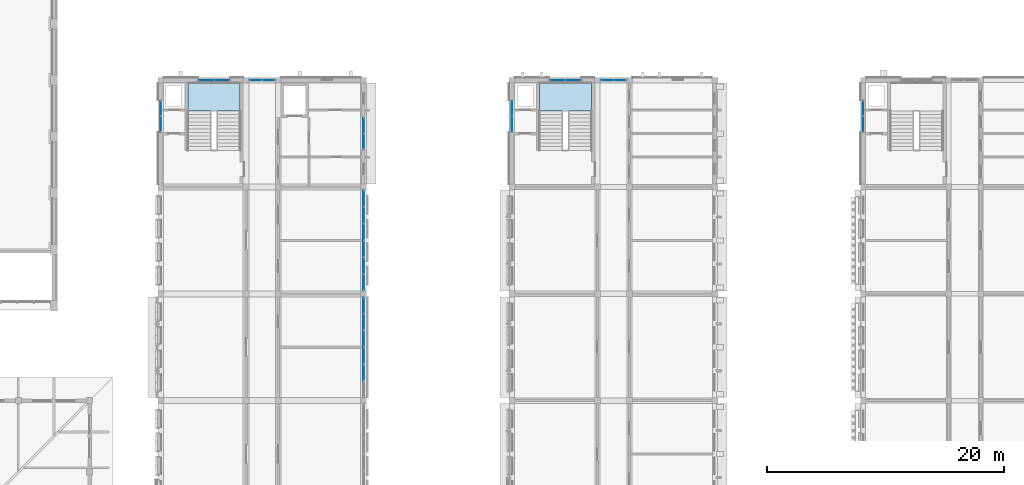
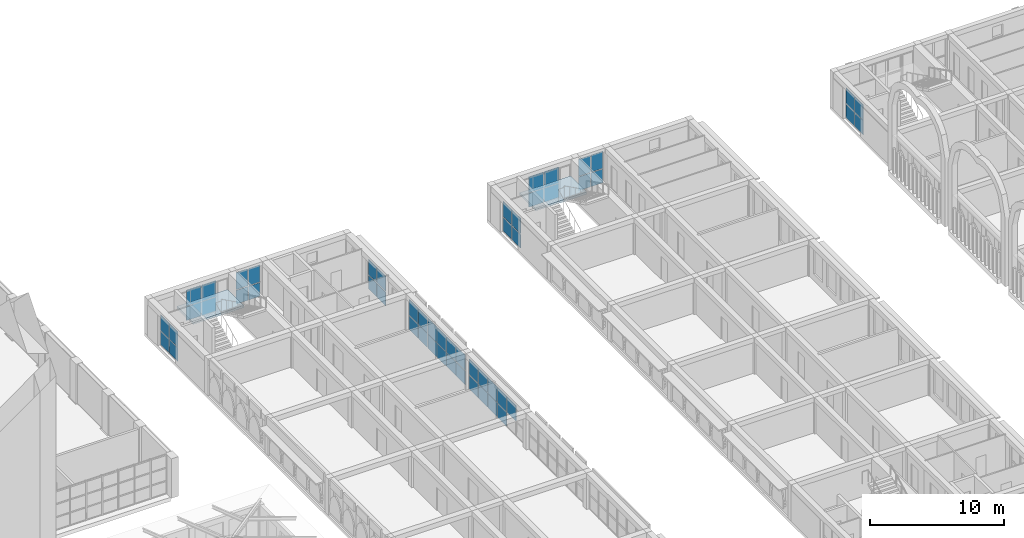
# One storey, part 38 of 82: 53 plates, 2 slabs, 12 elements without a shape of their own.
"""IFC4 building model written with IfcOpenShell, lengths in metres."""

from ifc_helpers import new_model, si_unit, direction, frame, origin, origin_2d, place, context, subcontext, project, spatial, polyline, rectangle, outline, extrude, material, layer, layer_set, type_object, element, aggregate, save


model = new_model("IFC4")

# Units and contexts
model_context = context("Model", 3, precision=1e-05, world=origin(), true_north=direction((0.0, 1.0)))
body_context = subcontext(model_context, "Body", "Model", "MODEL_VIEW")
ifc_project = project(units=[si_unit("LENGTHUNIT", "METRE"), si_unit("AREAUNIT", "SQUARE_METRE"), si_unit("VOLUMEUNIT", "CUBIC_METRE"), si_unit("PLANEANGLEUNIT", "RADIAN"), si_unit("MASSUNIT", "GRAM", prefix="KILO")], contexts=[model_context])

# Site, building, storey
site_placement = place(None, origin())
site = spatial("IfcSite", under=ifc_project, at=site_placement, CompositionType="ELEMENT")
building_placement = place(site_placement, origin())
building = spatial("IfcBuilding", under=site, at=building_placement, Name="Elbe Cascade School", CompositionType="ELEMENT")
storey_placement = place(building_placement, frame((0.0, 0.0, 4.5)))
storey = spatial("IfcBuildingStorey", under=building, at=storey_placement, Name="L01", CompositionType="ELEMENT", Elevation=4.5)

# Stair, slab
ifc_material_1 = material(Name="Concrete C30/37", Category="concrete")
stair_type = type_object("IfcStairType", Name="Bar stair RC 150", PredefinedType="HALF_TURN_STAIR", material=ifc_material_1)
stair_1_placement = place(storey_placement, origin())
stair_1 = element("IfcStair", 1, at=stair_1_placement, inside=storey, type_object=stair_type, Name="Stair A1.N", PredefinedType="HALF_TURN_STAIR")
ifc_material_2 = material(Name="Concrete C30/37", Category="concrete")
ifc_layer_1 = layer(ifc_material_2, 0.199951171875)
ifc_layer_set_1 = layer_set([ifc_layer_1], Name="Concrete C30/37")
slab_type = type_object("IfcSlabType", Name="Bar stair landing RC 200", PredefinedType="LANDING", material=ifc_layer_set_1)
slab_1_placement = place(storey_placement, frame((0.0, 0.0, 1.60009765625)))
slab_1 = element("IfcSlab", 2, at=slab_1_placement, type_object=slab_type, Name="ST3 landing 1", PredefinedType="LANDING", context=body_context, shape_type="SweptSolid", body=[
    extrude(outline(polyline([(71.300048828125, 57.39990234375), (75.699951171875, 57.39990234375), (75.699951171875, 59.820068359375), (71.300048828125, 59.820068359375), (71.300048828125, 57.39990234375)])), origin(), (0.0, 0.0, 1.0), 0.199951171875),
])
aggregate(stair_1, [slab_1])

stair_2_placement = place(storey_placement, origin())
stair_2 = element("IfcStair", 3, at=stair_2_placement, inside=storey, type_object=stair_type, Name="Stair B1.N", PredefinedType="HALF_TURN_STAIR")
slab_2_placement = place(storey_placement, frame((0.0, 0.0, 1.60009765625)))
slab_2 = element("IfcSlab", 4, at=slab_2_placement, type_object=slab_type, Name="ST3 landing 1", PredefinedType="LANDING", context=body_context, shape_type="SweptSolid", body=[
    extrude(outline(polyline([(100.89990234375, 57.39990234375), (105.300048828125, 57.39990234375), (105.300048828125, 59.820068359375), (100.89990234375, 59.820068359375), (100.89990234375, 57.39990234375)])), origin(), (0.0, 0.0, 1.0), 0.199951171875),
])
aggregate(stair_2, [slab_2])

# Curtain wall, plates
ifc_material_3 = material(Name="Aluminium frame with double glazing, bronze anodised", Category="aluminium")
ifc_layer_2 = layer(ifc_material_3, 0.159912109375)
ifc_layer_set_2 = layer_set([ifc_layer_2], Name="Aluminium frame with double glazing, bronze anodised")
curtain_wall_type_1 = type_object("IfcCurtainWallType", Name="Bars envelope Curtain wall, aluminium, bronze anodised, storey-high slot", PredefinedType="NOTDEFINED", material=ifc_layer_set_2)
curtain_wall_1_placement = place(storey_placement, origin())
curtain_wall_1 = element("IfcCurtainWall", 5, at=curtain_wall_1_placement, inside=storey, type_object=curtain_wall_type_1, Name="Curtain wall CW4 A.L01.w6", PredefinedType="NOTDEFINED")
ifc_material_4 = material(Name="Glass - double glazed low-E", Category="glass")
ifc_layer_3 = layer(ifc_material_4, 0.028076171875)
ifc_layer_set_3 = layer_set([ifc_layer_3], Name="Glass - double glazed low-E")
plate_type_1 = type_object("IfcPlateType", Name="Bars envelope Curtain wall glazing panel 28 mm, double glazed, storey-high slot", PredefinedType="CURTAIN_PANEL", material=ifc_layer_set_3)
plate_1_placement = place(storey_placement, frame((69.0, 56.300048828125, 0.06005859375), z_axis=(0.0, 0.0, 1.0), x_axis=(0.0, 1.0, 0.0)))
plate_1 = element("IfcPlate", 6, at=plate_1_placement, type_object=plate_type_1, Name="CW4 panel 1.1", PredefinedType="CURTAIN_PANEL", context=body_context, shape_type="SweptSolid", body=[
    extrude(rectangle(XDim=1.260009765625, YDim=0.028076171875, at=origin_2d()), origin(), (0.0, 0.0, 1.0), 1.260009765625),
])
plate_2_placement = place(storey_placement, frame((69.0, 56.300048828125, 1.3798828125), z_axis=(0.0, 0.0, 1.0), x_axis=(0.0, 1.0, 0.0)))
plate_2 = element("IfcPlate", 7, at=plate_2_placement, type_object=plate_type_1, Name="CW4 panel 1.2", PredefinedType="CURTAIN_PANEL", context=body_context, shape_type="SweptSolid", body=[
    extrude(rectangle(XDim=1.260009765625, YDim=0.028076171875, at=origin_2d()), origin(), (0.0, 0.0, 1.0), 1.409912109375),
])
plate_3_placement = place(storey_placement, frame((69.0, 57.6201171875, 0.06005859375), z_axis=(0.0, 0.0, 1.0), x_axis=(0.0, 1.0, 0.0)))
plate_3 = element("IfcPlate", 8, at=plate_3_placement, type_object=plate_type_1, Name="CW4 panel 2.1", PredefinedType="CURTAIN_PANEL", context=body_context, shape_type="SweptSolid", body=[
    extrude(rectangle(XDim=1.260009765625, YDim=0.028076171875, at=origin_2d()), origin(), (0.0, 0.0, 1.0), 1.260009765625),
])
plate_4_placement = place(storey_placement, frame((69.0, 57.6201171875, 1.3798828125), z_axis=(0.0, 0.0, 1.0), x_axis=(0.0, 1.0, 0.0)))
plate_4 = element("IfcPlate", 9, at=plate_4_placement, type_object=plate_type_1, Name="CW4 panel 2.2", PredefinedType="CURTAIN_PANEL", context=body_context, shape_type="SweptSolid", body=[
    extrude(rectangle(XDim=1.260009765625, YDim=0.028076171875, at=origin_2d()), origin(), (0.0, 0.0, 1.0), 1.409912109375),
])
aggregate(curtain_wall_1, [plate_1, plate_2, plate_3, plate_4])

curtain_wall_2_placement = place(storey_placement, origin())
curtain_wall_2 = element("IfcCurtainWall", 10, at=curtain_wall_2_placement, inside=storey, type_object=curtain_wall_type_1, Name="Curtain wall CW4 A.L01.e6", PredefinedType="NOTDEFINED")
plate_5_placement = place(storey_placement, frame((86.10009765625, 56.159912109375, 0.06005859375), z_axis=(0.0, 0.0, 1.0), x_axis=(0.0, -1.0, 0.0)))
plate_5 = element("IfcPlate", 11, at=plate_5_placement, type_object=plate_type_1, Name="CW4 panel 1.1", PredefinedType="CURTAIN_PANEL", context=body_context, shape_type="SweptSolid", body=[
    extrude(rectangle(XDim=1.260009765625, YDim=0.028076171875, at=origin_2d()), origin(), (0.0, 0.0, 1.0), 1.260009765625),
])
plate_6_placement = place(storey_placement, frame((86.10009765625, 56.159912109375, 1.3798828125), z_axis=(0.0, 0.0, 1.0), x_axis=(0.0, -1.0, 0.0)))
plate_6 = element("IfcPlate", 12, at=plate_6_placement, type_object=plate_type_1, Name="CW4 panel 1.2", PredefinedType="CURTAIN_PANEL", context=body_context, shape_type="SweptSolid", body=[
    extrude(rectangle(XDim=1.260009765625, YDim=0.028076171875, at=origin_2d()), origin(), (0.0, 0.0, 1.0), 1.409912109375),
])
plate_7_placement = place(storey_placement, frame((86.10009765625, 54.840087890625, 0.06005859375), z_axis=(0.0, 0.0, 1.0), x_axis=(0.0, -1.0, 0.0)))
plate_7 = element("IfcPlate", 13, at=plate_7_placement, type_object=plate_type_1, Name="CW4 panel 2.1", PredefinedType="CURTAIN_PANEL", context=body_context, shape_type="SweptSolid", body=[
    extrude(rectangle(XDim=1.260009765625, YDim=0.028076171875, at=origin_2d()), origin(), (0.0, 0.0, 1.0), 1.260009765625),
])
plate_8_placement = place(storey_placement, frame((86.10009765625, 54.840087890625, 1.3798828125), z_axis=(0.0, 0.0, 1.0), x_axis=(0.0, -1.0, 0.0)))
plate_8 = element("IfcPlate", 14, at=plate_8_placement, type_object=plate_type_1, Name="CW4 panel 2.2", PredefinedType="CURTAIN_PANEL", context=body_context, shape_type="SweptSolid", body=[
    extrude(rectangle(XDim=1.260009765625, YDim=0.028076171875, at=origin_2d()), origin(), (0.0, 0.0, 1.0), 1.409912109375),
])
aggregate(curtain_wall_2, [plate_5, plate_6, plate_7, plate_8])

curtain_wall_3_placement = place(storey_placement, origin())
curtain_wall_3 = element("IfcCurtainWall", 15, at=curtain_wall_3_placement, inside=storey, type_object=curtain_wall_type_1, Name="Curtain wall CW4 A.L01.n1", PredefinedType="NOTDEFINED")
plate_9_placement = place(storey_placement, frame((72.840087890625, 60.0, 0.06005859375), z_axis=(0.0, 0.0, 1.0), x_axis=(1.0, 0.0, 0.0)))
plate_9 = element("IfcPlate", 16, at=plate_9_placement, type_object=plate_type_1, Name="CW4 panel 1.1", PredefinedType="CURTAIN_PANEL", context=body_context, shape_type="SweptSolid", body=[
    extrude(rectangle(XDim=1.260009765625, YDim=0.028076171875, at=origin_2d()), origin(), (0.0, 0.0, 1.0), 1.260009765625),
])
plate_10_placement = place(storey_placement, frame((72.840087890625, 60.0, 1.380126953125), z_axis=(0.0, 0.0, 1.0), x_axis=(1.0, 0.0, 0.0)))
plate_10 = element("IfcPlate", 17, at=plate_10_placement, type_object=plate_type_1, Name="CW4 panel 1.2", PredefinedType="CURTAIN_PANEL", context=body_context, shape_type="SweptSolid", body=[
    extrude(rectangle(XDim=1.260009765625, YDim=0.028076171875, at=origin_2d()), origin(), (0.0, 0.0, 1.0), 1.4599609375),
])
plate_11_placement = place(storey_placement, frame((74.159912109375, 60.0, 0.06005859375), z_axis=(0.0, 0.0, 1.0), x_axis=(1.0, 0.0, 0.0)))
plate_11 = element("IfcPlate", 18, at=plate_11_placement, type_object=plate_type_1, Name="CW4 panel 2.1", PredefinedType="CURTAIN_PANEL", context=body_context, shape_type="SweptSolid", body=[
    extrude(rectangle(XDim=1.260009765625, YDim=0.028076171875, at=origin_2d()), origin(), (0.0, 0.0, 1.0), 1.260009765625),
])
plate_12_placement = place(storey_placement, frame((74.159912109375, 60.0, 1.380126953125), z_axis=(0.0, 0.0, 1.0), x_axis=(1.0, 0.0, 0.0)))
plate_12 = element("IfcPlate", 19, at=plate_12_placement, type_object=plate_type_1, Name="CW4 panel 2.2", PredefinedType="CURTAIN_PANEL", context=body_context, shape_type="SweptSolid", body=[
    extrude(rectangle(XDim=1.260009765625, YDim=0.028076171875, at=origin_2d()), origin(), (0.0, 0.0, 1.0), 1.4599609375),
])
aggregate(curtain_wall_3, [plate_9, plate_10, plate_11, plate_12])

curtain_wall_4_placement = place(storey_placement, origin())
curtain_wall_4 = element("IfcCurtainWall", 20, at=curtain_wall_4_placement, inside=storey, type_object=curtain_wall_type_1, Name="Curtain wall CW4 A.L01.n2", PredefinedType="NOTDEFINED")
plate_13_placement = place(storey_placement, frame((77.014892578125, 60.0, 0.06005859375), z_axis=(0.0, 0.0, 1.0), x_axis=(1.0, 0.0, 0.0)))
plate_13 = element("IfcPlate", 21, at=plate_13_placement, type_object=plate_type_1, Name="CW4 panel 1.1", PredefinedType="CURTAIN_PANEL", context=body_context, shape_type="SweptSolid", body=[
    extrude(rectangle(XDim=1.010009765625, YDim=0.028076171875, at=origin_2d()), origin(), (0.0, 0.0, 1.0), 1.260009765625),
])
plate_14_placement = place(storey_placement, frame((77.014892578125, 60.0, 1.3798828125), z_axis=(0.0, 0.0, 1.0), x_axis=(1.0, 0.0, 0.0)))
plate_14 = element("IfcPlate", 22, at=plate_14_placement, type_object=plate_type_1, Name="CW4 panel 1.2", PredefinedType="CURTAIN_PANEL", context=body_context, shape_type="SweptSolid", body=[
    extrude(rectangle(XDim=1.010009765625, YDim=0.028076171875, at=origin_2d()), origin(), (0.0, 0.0, 1.0), 1.56005859375),
])
plate_15_placement = place(storey_placement, frame((78.0849609375, 60.0, 0.06005859375), z_axis=(0.0, 0.0, 1.0), x_axis=(1.0, 0.0, 0.0)))
plate_15 = element("IfcPlate", 23, at=plate_15_placement, type_object=plate_type_1, Name="CW4 panel 2.1", PredefinedType="CURTAIN_PANEL", context=body_context, shape_type="SweptSolid", body=[
    extrude(rectangle(XDim=1.010009765625, YDim=0.028076171875, at=origin_2d()), origin(), (0.0, 0.0, 1.0), 1.260009765625),
])
plate_16_placement = place(storey_placement, frame((78.0849609375, 60.0, 1.3798828125), z_axis=(0.0, 0.0, 1.0), x_axis=(1.0, 0.0, 0.0)))
plate_16 = element("IfcPlate", 24, at=plate_16_placement, type_object=plate_type_1, Name="CW4 panel 2.2", PredefinedType="CURTAIN_PANEL", context=body_context, shape_type="SweptSolid", body=[
    extrude(rectangle(XDim=1.010009765625, YDim=0.028076171875, at=origin_2d()), origin(), (0.0, 0.0, 1.0), 1.56005859375),
])
aggregate(curtain_wall_4, [plate_13, plate_14, plate_15, plate_16])

curtain_wall_5_placement = place(storey_placement, origin())
curtain_wall_5 = element("IfcCurtainWall", 25, at=curtain_wall_5_placement, inside=storey, type_object=curtain_wall_type_1, Name="Curtain wall CW4 B.L01.w6", PredefinedType="NOTDEFINED")
plate_17_placement = place(storey_placement, frame((98.60009765625, 56.300048828125, 0.06005859375), z_axis=(0.0, 0.0, 1.0), x_axis=(0.0, 1.0, 0.0)))
plate_17 = element("IfcPlate", 26, at=plate_17_placement, type_object=plate_type_1, Name="CW4 panel 1.1", PredefinedType="CURTAIN_PANEL", context=body_context, shape_type="SweptSolid", body=[
    extrude(rectangle(XDim=1.260009765625, YDim=0.028076171875, at=origin_2d()), origin(), (0.0, 0.0, 1.0), 1.260009765625),
])
plate_18_placement = place(storey_placement, frame((98.60009765625, 56.300048828125, 1.3798828125), z_axis=(0.0, 0.0, 1.0), x_axis=(0.0, 1.0, 0.0)))
plate_18 = element("IfcPlate", 27, at=plate_18_placement, type_object=plate_type_1, Name="CW4 panel 1.2", PredefinedType="CURTAIN_PANEL", context=body_context, shape_type="SweptSolid", body=[
    extrude(rectangle(XDim=1.260009765625, YDim=0.028076171875, at=origin_2d()), origin(), (0.0, 0.0, 1.0), 1.409912109375),
])
plate_19_placement = place(storey_placement, frame((98.60009765625, 57.6201171875, 0.06005859375), z_axis=(0.0, 0.0, 1.0), x_axis=(0.0, 1.0, 0.0)))
plate_19 = element("IfcPlate", 28, at=plate_19_placement, type_object=plate_type_1, Name="CW4 panel 2.1", PredefinedType="CURTAIN_PANEL", context=body_context, shape_type="SweptSolid", body=[
    extrude(rectangle(XDim=1.260009765625, YDim=0.028076171875, at=origin_2d()), origin(), (0.0, 0.0, 1.0), 1.260009765625),
])
plate_20_placement = place(storey_placement, frame((98.60009765625, 57.6201171875, 1.3798828125), z_axis=(0.0, 0.0, 1.0), x_axis=(0.0, 1.0, 0.0)))
plate_20 = element("IfcPlate", 29, at=plate_20_placement, type_object=plate_type_1, Name="CW4 panel 2.2", PredefinedType="CURTAIN_PANEL", context=body_context, shape_type="SweptSolid", body=[
    extrude(rectangle(XDim=1.260009765625, YDim=0.028076171875, at=origin_2d()), origin(), (0.0, 0.0, 1.0), 1.409912109375),
])
aggregate(curtain_wall_5, [plate_17, plate_18, plate_19, plate_20])

curtain_wall_6_placement = place(storey_placement, origin())
curtain_wall_6 = element("IfcCurtainWall", 30, at=curtain_wall_6_placement, inside=storey, type_object=curtain_wall_type_1, Name="Curtain wall CW4 B.L01.n1", PredefinedType="NOTDEFINED")
plate_21_placement = place(storey_placement, frame((102.43994140625, 60.0, 0.06005859375), z_axis=(0.0, 0.0, 1.0), x_axis=(1.0, 0.0, 0.0)))
plate_21 = element("IfcPlate", 31, at=plate_21_placement, type_object=plate_type_1, Name="CW4 panel 1.1", PredefinedType="CURTAIN_PANEL", context=body_context, shape_type="SweptSolid", body=[
    extrude(rectangle(XDim=1.260009765625, YDim=0.028076171875, at=origin_2d()), origin(), (0.0, 0.0, 1.0), 1.260009765625),
])
plate_22_placement = place(storey_placement, frame((102.43994140625, 60.0, 1.380126953125), z_axis=(0.0, 0.0, 1.0), x_axis=(1.0, 0.0, 0.0)))
plate_22 = element("IfcPlate", 32, at=plate_22_placement, type_object=plate_type_1, Name="CW4 panel 1.2", PredefinedType="CURTAIN_PANEL", context=body_context, shape_type="SweptSolid", body=[
    extrude(rectangle(XDim=1.260009765625, YDim=0.028076171875, at=origin_2d()), origin(), (0.0, 0.0, 1.0), 1.4599609375),
])
plate_23_placement = place(storey_placement, frame((103.760009765625, 60.0, 0.06005859375), z_axis=(0.0, 0.0, 1.0), x_axis=(1.0, 0.0, 0.0)))
plate_23 = element("IfcPlate", 33, at=plate_23_placement, type_object=plate_type_1, Name="CW4 panel 2.1", PredefinedType="CURTAIN_PANEL", context=body_context, shape_type="SweptSolid", body=[
    extrude(rectangle(XDim=1.260009765625, YDim=0.028076171875, at=origin_2d()), origin(), (0.0, 0.0, 1.0), 1.260009765625),
])
plate_24_placement = place(storey_placement, frame((103.760009765625, 60.0, 1.380126953125), z_axis=(0.0, 0.0, 1.0), x_axis=(1.0, 0.0, 0.0)))
plate_24 = element("IfcPlate", 34, at=plate_24_placement, type_object=plate_type_1, Name="CW4 panel 2.2", PredefinedType="CURTAIN_PANEL", context=body_context, shape_type="SweptSolid", body=[
    extrude(rectangle(XDim=1.260009765625, YDim=0.028076171875, at=origin_2d()), origin(), (0.0, 0.0, 1.0), 1.4599609375),
])
aggregate(curtain_wall_6, [plate_21, plate_22, plate_23, plate_24])

curtain_wall_7_placement = place(storey_placement, origin())
curtain_wall_7 = element("IfcCurtainWall", 35, at=curtain_wall_7_placement, inside=storey, type_object=curtain_wall_type_1, Name="Curtain wall CW4 B.L01.n2", PredefinedType="NOTDEFINED")
plate_25_placement = place(storey_placement, frame((106.614990234375, 60.0, 0.06005859375), z_axis=(0.0, 0.0, 1.0), x_axis=(1.0, 0.0, 0.0)))
plate_25 = element("IfcPlate", 36, at=plate_25_placement, type_object=plate_type_1, Name="CW4 panel 1.1", PredefinedType="CURTAIN_PANEL", context=body_context, shape_type="SweptSolid", body=[
    extrude(rectangle(XDim=1.010009765625, YDim=0.028076171875, at=origin_2d()), origin(), (0.0, 0.0, 1.0), 1.260009765625),
])
plate_26_placement = place(storey_placement, frame((106.614990234375, 60.0, 1.3798828125), z_axis=(0.0, 0.0, 1.0), x_axis=(1.0, 0.0, 0.0)))
plate_26 = element("IfcPlate", 37, at=plate_26_placement, type_object=plate_type_1, Name="CW4 panel 1.2", PredefinedType="CURTAIN_PANEL", context=body_context, shape_type="SweptSolid", body=[
    extrude(rectangle(XDim=1.010009765625, YDim=0.028076171875, at=origin_2d()), origin(), (0.0, 0.0, 1.0), 1.56005859375),
])
plate_27_placement = place(storey_placement, frame((107.68505859375, 60.0, 0.06005859375), z_axis=(0.0, 0.0, 1.0), x_axis=(1.0, 0.0, 0.0)))
plate_27 = element("IfcPlate", 38, at=plate_27_placement, type_object=plate_type_1, Name="CW4 panel 2.1", PredefinedType="CURTAIN_PANEL", context=body_context, shape_type="SweptSolid", body=[
    extrude(rectangle(XDim=1.010009765625, YDim=0.028076171875, at=origin_2d()), origin(), (0.0, 0.0, 1.0), 1.260009765625),
])
plate_28_placement = place(storey_placement, frame((107.68505859375, 60.0, 1.3798828125), z_axis=(0.0, 0.0, 1.0), x_axis=(1.0, 0.0, 0.0)))
plate_28 = element("IfcPlate", 39, at=plate_28_placement, type_object=plate_type_1, Name="CW4 panel 2.2", PredefinedType="CURTAIN_PANEL", context=body_context, shape_type="SweptSolid", body=[
    extrude(rectangle(XDim=1.010009765625, YDim=0.028076171875, at=origin_2d()), origin(), (0.0, 0.0, 1.0), 1.56005859375),
])
aggregate(curtain_wall_7, [plate_25, plate_26, plate_27, plate_28])

curtain_wall_8_placement = place(storey_placement, origin())
curtain_wall_8 = element("IfcCurtainWall", 40, at=curtain_wall_8_placement, inside=storey, type_object=curtain_wall_type_1, Name="Curtain wall CW4 C.L01.w6", PredefinedType="NOTDEFINED")
plate_29_placement = place(storey_placement, frame((128.199951171875, 56.300048828125, 0.06005859375), z_axis=(0.0, 0.0, 1.0), x_axis=(0.0, 1.0, 0.0)))
plate_29 = element("IfcPlate", 41, at=plate_29_placement, type_object=plate_type_1, Name="CW4 panel 1.1", PredefinedType="CURTAIN_PANEL", context=body_context, shape_type="SweptSolid", body=[
    extrude(rectangle(XDim=1.260009765625, YDim=0.028076171875, at=origin_2d()), origin(), (0.0, 0.0, 1.0), 1.260009765625),
])
plate_30_placement = place(storey_placement, frame((128.199951171875, 56.300048828125, 1.3798828125), z_axis=(0.0, 0.0, 1.0), x_axis=(0.0, 1.0, 0.0)))
plate_30 = element("IfcPlate", 42, at=plate_30_placement, type_object=plate_type_1, Name="CW4 panel 1.2", PredefinedType="CURTAIN_PANEL", context=body_context, shape_type="SweptSolid", body=[
    extrude(rectangle(XDim=1.260009765625, YDim=0.028076171875, at=origin_2d()), origin(), (0.0, 0.0, 1.0), 1.409912109375),
])
plate_31_placement = place(storey_placement, frame((128.199951171875, 57.6201171875, 0.06005859375), z_axis=(0.0, 0.0, 1.0), x_axis=(0.0, 1.0, 0.0)))
plate_31 = element("IfcPlate", 43, at=plate_31_placement, type_object=plate_type_1, Name="CW4 panel 2.1", PredefinedType="CURTAIN_PANEL", context=body_context, shape_type="SweptSolid", body=[
    extrude(rectangle(XDim=1.260009765625, YDim=0.028076171875, at=origin_2d()), origin(), (0.0, 0.0, 1.0), 1.260009765625),
])
plate_32_placement = place(storey_placement, frame((128.199951171875, 57.6201171875, 1.3798828125), z_axis=(0.0, 0.0, 1.0), x_axis=(0.0, 1.0, 0.0)))
plate_32 = element("IfcPlate", 44, at=plate_32_placement, type_object=plate_type_1, Name="CW4 panel 2.2", PredefinedType="CURTAIN_PANEL", context=body_context, shape_type="SweptSolid", body=[
    extrude(rectangle(XDim=1.260009765625, YDim=0.028076171875, at=origin_2d()), origin(), (0.0, 0.0, 1.0), 1.409912109375),
])
aggregate(curtain_wall_8, [plate_29, plate_30, plate_31, plate_32])

ifc_material_5 = material(Name="Aluminium frame with double glazing, bronze anodised", Category="aluminium")
ifc_layer_4 = layer(ifc_material_5, 0.179931640625)
ifc_layer_set_4 = layer_set([ifc_layer_4], Name="Aluminium frame with double glazing, bronze anodised")
curtain_wall_type_2 = type_object("IfcCurtainWallType", Name="Bars envelope Curtain wall, aluminium, bronze anodised, wide run", PredefinedType="NOTDEFINED", material=ifc_layer_set_4)
curtain_wall_9_placement = place(storey_placement, origin())
curtain_wall_9 = element("IfcCurtainWall", 45, at=curtain_wall_9_placement, inside=storey, type_object=curtain_wall_type_2, Name="Curtain wall CW5 A.L01.e4", PredefinedType="NOTDEFINED")
ifc_material_6 = material(Name="Glass - double glazed low-E", Category="glass")
ifc_layer_5 = layer(ifc_material_6, 0.031982421875)
ifc_layer_set_5 = layer_set([ifc_layer_5], Name="Glass - double glazed low-E")
plate_type_2 = type_object("IfcPlateType", Name="Bars envelope Curtain wall glazing panel 32 mm, double glazed, wide run", PredefinedType="CURTAIN_PANEL", material=ifc_layer_set_5)
plate_33_placement = place(storey_placement, frame((86.10009765625, 41.026611328125, 0.06005859375), z_axis=(0.0, 0.0, 1.0), x_axis=(0.0, -1.0, 0.0)))
plate_33 = element("IfcPlate", 46, at=plate_33_placement, type_object=plate_type_2, Name="CW5 panel 1.1", PredefinedType="CURTAIN_PANEL", context=body_context, shape_type="SweptSolid", body=[
    extrude(rectangle(XDim=1.32666015625, YDim=0.031982421875, at=origin_2d()), origin(), (0.0, 0.0, 1.0), 1.260009765625),
])
plate_34_placement = place(storey_placement, frame((86.10009765625, 41.026611328125, 1.3798828125), z_axis=(0.0, 0.0, 1.0), x_axis=(0.0, -1.0, 0.0)))
plate_34 = element("IfcPlate", 47, at=plate_34_placement, type_object=plate_type_2, Name="CW5 panel 1.2", PredefinedType="CURTAIN_PANEL", context=body_context, shape_type="SweptSolid", body=[
    extrude(rectangle(XDim=1.32666015625, YDim=0.031982421875, at=origin_2d()), origin(), (0.0, 0.0, 1.0), 1.409912109375),
])
plate_35_placement = place(storey_placement, frame((86.10009765625, 39.625, 0.06005859375), z_axis=(0.0, 0.0, 1.0), x_axis=(0.0, -1.0, 0.0)))
plate_35 = element("IfcPlate", 48, at=plate_35_placement, type_object=plate_type_2, Name="CW5 panel 2.1", PredefinedType="CURTAIN_PANEL", context=body_context, shape_type="SweptSolid", body=[
    extrude(rectangle(XDim=1.356689453125, YDim=0.031982421875, at=origin_2d()), origin(), (0.0, 0.0, 1.0), 1.260009765625),
])
plate_36_placement = place(storey_placement, frame((86.10009765625, 39.625, 1.3798828125), z_axis=(0.0, 0.0, 1.0), x_axis=(0.0, -1.0, 0.0)))
plate_36 = element("IfcPlate", 49, at=plate_36_placement, type_object=plate_type_2, Name="CW5 panel 2.2", PredefinedType="CURTAIN_PANEL", context=body_context, shape_type="SweptSolid", body=[
    extrude(rectangle(XDim=1.356689453125, YDim=0.031982421875, at=origin_2d()), origin(), (0.0, 0.0, 1.0), 1.409912109375),
])
plate_37_placement = place(storey_placement, frame((86.10009765625, 38.208251953125, 0.06005859375), z_axis=(0.0, 0.0, 1.0), x_axis=(0.0, -1.0, 0.0)))
plate_37 = element("IfcPlate", 50, at=plate_37_placement, type_object=plate_type_2, Name="CW5 panel 3.1", PredefinedType="CURTAIN_PANEL", context=body_context, shape_type="SweptSolid", body=[
    extrude(rectangle(XDim=1.356689453125, YDim=0.031982421875, at=origin_2d()), origin(), (0.0, 0.0, 1.0), 1.260009765625),
])
plate_38_placement = place(storey_placement, frame((86.10009765625, 38.208251953125, 1.3798828125), z_axis=(0.0, 0.0, 1.0), x_axis=(0.0, -1.0, 0.0)))
plate_38 = element("IfcPlate", 51, at=plate_38_placement, type_object=plate_type_2, Name="CW5 panel 3.2", PredefinedType="CURTAIN_PANEL", context=body_context, shape_type="SweptSolid", body=[
    extrude(rectangle(XDim=1.356689453125, YDim=0.031982421875, at=origin_2d()), origin(), (0.0, 0.0, 1.0), 1.409912109375),
])
plate_39_placement = place(storey_placement, frame((86.10009765625, 36.791748046875, 0.06005859375), z_axis=(0.0, 0.0, 1.0), x_axis=(0.0, -1.0, 0.0)))
plate_39 = element("IfcPlate", 52, at=plate_39_placement, type_object=plate_type_2, Name="CW5 panel 4.1", PredefinedType="CURTAIN_PANEL", context=body_context, shape_type="SweptSolid", body=[
    extrude(rectangle(XDim=1.356689453125, YDim=0.031982421875, at=origin_2d()), origin(), (0.0, 0.0, 1.0), 1.260009765625),
])
plate_40_placement = place(storey_placement, frame((86.10009765625, 36.791748046875, 1.3798828125), z_axis=(0.0, 0.0, 1.0), x_axis=(0.0, -1.0, 0.0)))
plate_40 = element("IfcPlate", 53, at=plate_40_placement, type_object=plate_type_2, Name="CW5 panel 4.2", PredefinedType="CURTAIN_PANEL", context=body_context, shape_type="SweptSolid", body=[
    extrude(rectangle(XDim=1.356689453125, YDim=0.031982421875, at=origin_2d()), origin(), (0.0, 0.0, 1.0), 1.409912109375),
])
plate_41_placement = place(storey_placement, frame((86.10009765625, 35.375, 1.3798828125), z_axis=(0.0, 0.0, 1.0), x_axis=(0.0, -1.0, 0.0)))
plate_41 = element("IfcPlate", 54, at=plate_41_placement, type_object=plate_type_2, Name="CW5 panel 5.2", PredefinedType="CURTAIN_PANEL", context=body_context, shape_type="SweptSolid", body=[
    extrude(rectangle(XDim=1.356689453125, YDim=0.031982421875, at=origin_2d()), origin(), (0.0, 0.0, 1.0), 1.409912109375),
])
aggregate(curtain_wall_9, [plate_33, plate_34, plate_35, plate_36, plate_37, plate_38, plate_39, plate_40, plate_41])

curtain_wall_10_placement = place(storey_placement, origin())
curtain_wall_10 = element("IfcCurtainWall", 55, at=curtain_wall_10_placement, inside=storey, type_object=curtain_wall_type_2, Name="Curtain wall CW5 A.L01.e5", PredefinedType="NOTDEFINED")
plate_42_placement = place(storey_placement, frame((86.10009765625, 50.026611328125, 0.06005859375), z_axis=(0.0, 0.0, 1.0), x_axis=(0.0, -1.0, 0.0)))
plate_42 = element("IfcPlate", 56, at=plate_42_placement, type_object=plate_type_2, Name="CW5 panel 1.1", PredefinedType="CURTAIN_PANEL", context=body_context, shape_type="SweptSolid", body=[
    extrude(rectangle(XDim=1.32666015625, YDim=0.031982421875, at=origin_2d()), origin(), (0.0, 0.0, 1.0), 1.260009765625),
])
plate_43_placement = place(storey_placement, frame((86.10009765625, 50.026611328125, 1.3798828125), z_axis=(0.0, 0.0, 1.0), x_axis=(0.0, -1.0, 0.0)))
plate_43 = element("IfcPlate", 57, at=plate_43_placement, type_object=plate_type_2, Name="CW5 panel 1.2", PredefinedType="CURTAIN_PANEL", context=body_context, shape_type="SweptSolid", body=[
    extrude(rectangle(XDim=1.32666015625, YDim=0.031982421875, at=origin_2d()), origin(), (0.0, 0.0, 1.0), 1.409912109375),
])
plate_44_placement = place(storey_placement, frame((86.10009765625, 48.625, 0.06005859375), z_axis=(0.0, 0.0, 1.0), x_axis=(0.0, -1.0, 0.0)))
plate_44 = element("IfcPlate", 58, at=plate_44_placement, type_object=plate_type_2, Name="CW5 panel 2.1", PredefinedType="CURTAIN_PANEL", context=body_context, shape_type="SweptSolid", body=[
    extrude(rectangle(XDim=1.356689453125, YDim=0.031982421875, at=origin_2d()), origin(), (0.0, 0.0, 1.0), 1.260009765625),
])
plate_45_placement = place(storey_placement, frame((86.10009765625, 48.625, 1.3798828125), z_axis=(0.0, 0.0, 1.0), x_axis=(0.0, -1.0, 0.0)))
plate_45 = element("IfcPlate", 59, at=plate_45_placement, type_object=plate_type_2, Name="CW5 panel 2.2", PredefinedType="CURTAIN_PANEL", context=body_context, shape_type="SweptSolid", body=[
    extrude(rectangle(XDim=1.356689453125, YDim=0.031982421875, at=origin_2d()), origin(), (0.0, 0.0, 1.0), 1.409912109375),
])
plate_46_placement = place(storey_placement, frame((86.10009765625, 47.208251953125, 0.06005859375), z_axis=(0.0, 0.0, 1.0), x_axis=(0.0, -1.0, 0.0)))
plate_46 = element("IfcPlate", 60, at=plate_46_placement, type_object=plate_type_2, Name="CW5 panel 3.1", PredefinedType="CURTAIN_PANEL", context=body_context, shape_type="SweptSolid", body=[
    extrude(rectangle(XDim=1.356689453125, YDim=0.031982421875, at=origin_2d()), origin(), (0.0, 0.0, 1.0), 1.260009765625),
])
plate_47_placement = place(storey_placement, frame((86.10009765625, 47.208251953125, 1.3798828125), z_axis=(0.0, 0.0, 1.0), x_axis=(0.0, -1.0, 0.0)))
plate_47 = element("IfcPlate", 61, at=plate_47_placement, type_object=plate_type_2, Name="CW5 panel 3.2", PredefinedType="CURTAIN_PANEL", context=body_context, shape_type="SweptSolid", body=[
    extrude(rectangle(XDim=1.356689453125, YDim=0.031982421875, at=origin_2d()), origin(), (0.0, 0.0, 1.0), 1.409912109375),
])
plate_48_placement = place(storey_placement, frame((86.10009765625, 45.791748046875, 0.06005859375), z_axis=(0.0, 0.0, 1.0), x_axis=(0.0, -1.0, 0.0)))
plate_48 = element("IfcPlate", 62, at=plate_48_placement, type_object=plate_type_2, Name="CW5 panel 4.1", PredefinedType="CURTAIN_PANEL", context=body_context, shape_type="SweptSolid", body=[
    extrude(rectangle(XDim=1.356689453125, YDim=0.031982421875, at=origin_2d()), origin(), (0.0, 0.0, 1.0), 1.260009765625),
])
plate_49_placement = place(storey_placement, frame((86.10009765625, 45.791748046875, 1.3798828125), z_axis=(0.0, 0.0, 1.0), x_axis=(0.0, -1.0, 0.0)))
plate_49 = element("IfcPlate", 63, at=plate_49_placement, type_object=plate_type_2, Name="CW5 panel 4.2", PredefinedType="CURTAIN_PANEL", context=body_context, shape_type="SweptSolid", body=[
    extrude(rectangle(XDim=1.356689453125, YDim=0.031982421875, at=origin_2d()), origin(), (0.0, 0.0, 1.0), 1.409912109375),
])
plate_50_placement = place(storey_placement, frame((86.10009765625, 44.375, 0.06005859375), z_axis=(0.0, 0.0, 1.0), x_axis=(0.0, -1.0, 0.0)))
plate_50 = element("IfcPlate", 64, at=plate_50_placement, type_object=plate_type_2, Name="CW5 panel 5.1", PredefinedType="CURTAIN_PANEL", context=body_context, shape_type="SweptSolid", body=[
    extrude(rectangle(XDim=1.356689453125, YDim=0.031982421875, at=origin_2d()), origin(), (0.0, 0.0, 1.0), 1.260009765625),
])
plate_51_placement = place(storey_placement, frame((86.10009765625, 44.375, 1.3798828125), z_axis=(0.0, 0.0, 1.0), x_axis=(0.0, -1.0, 0.0)))
plate_51 = element("IfcPlate", 65, at=plate_51_placement, type_object=plate_type_2, Name="CW5 panel 5.2", PredefinedType="CURTAIN_PANEL", context=body_context, shape_type="SweptSolid", body=[
    extrude(rectangle(XDim=1.356689453125, YDim=0.031982421875, at=origin_2d()), origin(), (0.0, 0.0, 1.0), 1.409912109375),
])
plate_52_placement = place(storey_placement, frame((86.10009765625, 42.973388671875, 0.06005859375), z_axis=(0.0, 0.0, 1.0), x_axis=(0.0, -1.0, 0.0)))
plate_52 = element("IfcPlate", 66, at=plate_52_placement, type_object=plate_type_2, Name="CW5 panel 6.1", PredefinedType="CURTAIN_PANEL", context=body_context, shape_type="SweptSolid", body=[
    extrude(rectangle(XDim=1.32666015625, YDim=0.031982421875, at=origin_2d()), origin(), (0.0, 0.0, 1.0), 1.260009765625),
])
plate_53_placement = place(storey_placement, frame((86.10009765625, 42.973388671875, 1.3798828125), z_axis=(0.0, 0.0, 1.0), x_axis=(0.0, -1.0, 0.0)))
plate_53 = element("IfcPlate", 67, at=plate_53_placement, type_object=plate_type_2, Name="CW5 panel 6.2", PredefinedType="CURTAIN_PANEL", context=body_context, shape_type="SweptSolid", body=[
    extrude(rectangle(XDim=1.32666015625, YDim=0.031982421875, at=origin_2d()), origin(), (0.0, 0.0, 1.0), 1.409912109375),
])
aggregate(curtain_wall_10, [plate_42, plate_43, plate_44, plate_45, plate_46, plate_47, plate_48, plate_49, plate_50, plate_51, plate_52, plate_53])

save(model, "model.ifc")
